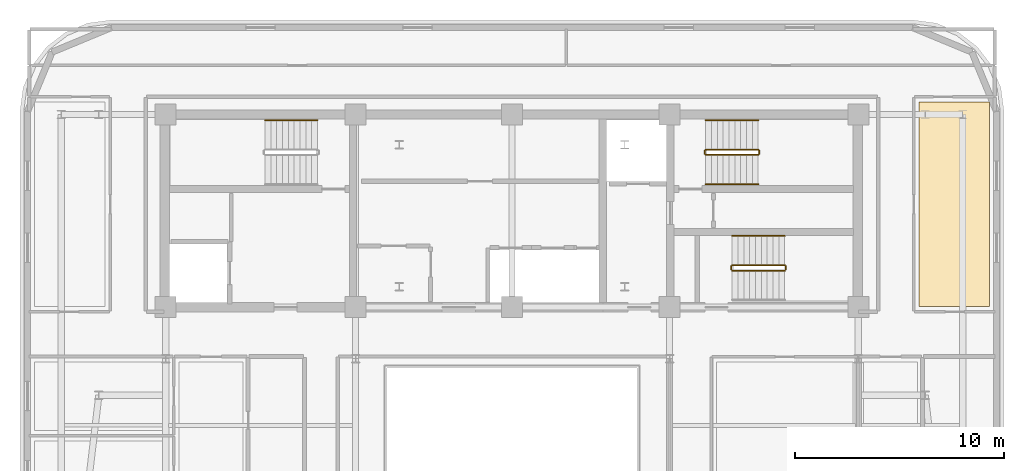
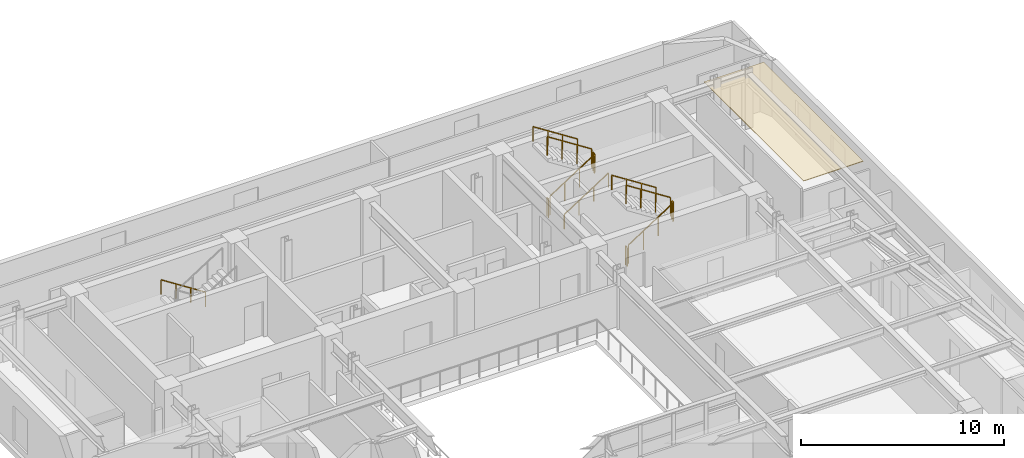
# One storey, part 14 of 14: 12 railings, 1 covering.
"""IFC4 building model written with IfcOpenShell, lengths in metres."""

import ifcopenshell
import ifcopenshell.guid

model = None  # the IFC model being written
_history = None  # IfcOwnerHistory: only IFC2X3 demands one
_inside = {}  # id of a spatial element -> (the spatial element, [elements in it])
_under = {}  # id of a project, library or spatial element -> (it, [spatial elements below it])
_declared = {}  # id of a project -> (the project, [libraries it declares])
_typed = {}  # id of a type object -> (the type object, [elements of that type])
_made_of = {}  # id of a material, layer set ... -> (it, [elements and type objects made of it])


def new_model(schema):
    """Start an empty IFC model of exactly this schema.

    Asked for "IFC4X3", IfcOpenShell would pick the latest addendum, in which some entities
    have other attributes; the version numbers below select the first issue.
    IFC2X3 requires an IfcOwnerHistory on every rooted entity: one is made here for all.
    """
    global model, _history
    if schema == "IFC4X3":
        model = ifcopenshell.file(schema_version=(4, 3, 0, 0))
    else:
        model = ifcopenshell.file(schema=schema)
    _inside.clear()
    _under.clear()
    _declared.clear()
    _typed.clear()
    _made_of.clear()
    _history = None
    if model.schema == "IFC2X3":
        org = make("IfcOrganization", Name="unknown")
        user = make(
            "IfcPersonAndOrganization",
            ThePerson=make("IfcPerson", FamilyName="unknown"),
            TheOrganization=org,
        )
        app = make(
            "IfcApplication",
            ApplicationDeveloper=org,
            Version="unknown",
            ApplicationFullName="unknown",
            ApplicationIdentifier="unknown",
        )
        _history = make(
            "IfcOwnerHistory",
            OwningUser=user,
            OwningApplication=app,
            ChangeAction="ADDED",
            CreationDate=0,
        )
    return model


def make(cls, **values):
    """One entity of the class cls with the attributes given. An attribute that is None is left unset."""
    return model.create_entity(
        cls, **{name: value for name, value in values.items() if value is not None}
    )


def rooted(cls, **values):
    """An entity with a GlobalId (a new one), such as an element, a storey or a relation."""
    return make(cls, GlobalId=ifcopenshell.guid.new(), OwnerHistory=_history, **values)


def si_unit(unit_type, name, prefix=None):
    """IfcSIUnit, for example si_unit("LENGTHUNIT", "METRE", prefix="MILLI")."""
    return make("IfcSIUnit", UnitType=unit_type, Prefix=prefix, Name=name)


def assignment(units):
    """IfcUnitAssignment: the units of a project."""
    return None if units is None else make("IfcUnitAssignment", Units=units)


def point(xyz):
    """IfcCartesianPoint."""
    return None if xyz is None else make("IfcCartesianPoint", Coordinates=xyz)


def direction(xyz):
    """IfcDirection."""
    return None if xyz is None else make("IfcDirection", DirectionRatios=xyz)


def frame(location, z_axis=None, x_axis=None):
    """IfcAxis2Placement3D, a coordinate frame: its origin and axes. An axis left out is left unset."""
    return make(
        "IfcAxis2Placement3D",
        Location=point(location),
        Axis=direction(z_axis),
        RefDirection=direction(x_axis),
    )


def frame_2d(location, x_axis=None):
    """IfcAxis2Placement2D, a coordinate frame in the plane: its origin and x axis."""
    return make(
        "IfcAxis2Placement2D", Location=point(location), RefDirection=direction(x_axis)
    )


def origin():
    """The frame at (0, 0, 0) with its axes left unset."""
    return frame((0.0, 0.0, 0.0))


def origin_2d():
    """The frame at (0, 0) in the plane with its x axis left unset."""
    return frame_2d((0.0, 0.0))


def place(relative_to, where):
    """IfcLocalPlacement: puts the frame where relative to a parent placement (None: the world)."""
    return make(
        "IfcLocalPlacement", PlacementRelTo=relative_to, RelativePlacement=where
    )


def context(
    kind, dimensions, precision=None, world=None, true_north=None, identifier=None
):
    """IfcGeometricRepresentationContext, for example the 3D "Model" context."""
    return make(
        "IfcGeometricRepresentationContext",
        ContextIdentifier=identifier,
        ContextType=kind,
        CoordinateSpaceDimension=dimensions,
        Precision=precision,
        WorldCoordinateSystem=world,
        TrueNorth=true_north,
    )


def subcontext(parent, identifier, kind, view, scale=None):
    """IfcGeometricRepresentationSubContext, for example "Body" below "Model"."""
    return make(
        "IfcGeometricRepresentationSubContext",
        ContextIdentifier=identifier,
        ContextType=kind,
        ParentContext=parent,
        TargetScale=scale,
        TargetView=view,
    )


def project(units=None, contexts=None):
    """IfcProject with its units and contexts."""
    return rooted(
        "IfcProject",
        Name="project",
        RepresentationContexts=contexts,
        UnitsInContext=assignment(units),
    )


def spatial(cls, under=None, at=None, **own):
    """A site, building, storey or space (cls), placed at a placement, below another one or the project."""
    s = rooted(cls, ObjectPlacement=at, **own)
    if under is not None:
        _under.setdefault(under.id(), (under, []))[1].append(s)
    return s


def polyline(points):
    """IfcPolyline through the points."""
    return make("IfcPolyline", Points=[point(p) for p in points])


def profile(cls, at=None, kind="AREA", **sizes):
    """A parametric profile (cls). Its sizes go by their IFC names, for example OverallWidth=200.0."""
    return make(cls, ProfileType=kind, Position=at, **sizes)


def rectangle(**sizes):
    """IfcRectangleProfileDef."""
    return profile("IfcRectangleProfileDef", **sizes)


def outline(outer, holes=None, kind="AREA"):
    """IfcArbitraryClosedProfileDef: a profile drawn as a closed curve; with holes, ...WithVoids."""
    if holes is None:
        return make("IfcArbitraryClosedProfileDef", ProfileType=kind, OuterCurve=outer)
    return make(
        "IfcArbitraryProfileDefWithVoids",
        ProfileType=kind,
        OuterCurve=outer,
        InnerCurves=holes,
    )


def extrude(swept, where, along, depth):
    """IfcExtrudedAreaSolid: the profile swept, set in the frame where, extruded along a direction by depth."""
    return make(
        "IfcExtrudedAreaSolid",
        SweptArea=swept,
        Position=where,
        ExtrudedDirection=direction(along),
        Depth=depth,
    )


def shape(context_of_items, identifier, shape_type, items):
    """IfcShapeRepresentation: the items that make up one representation, for example the "Body"."""
    return make(
        "IfcShapeRepresentation",
        ContextOfItems=context_of_items,
        RepresentationIdentifier=identifier,
        RepresentationType=shape_type,
        Items=items,
    )


def material(Name=None, Category=None):
    """IfcMaterial."""
    return make("IfcMaterial", Name=Name, Category=Category)


def layer(
    of_material, thickness, ventilated=None, Name=None, Category=None, Priority=None
):
    """IfcMaterialLayer: one layer of a wall or slab, of a material (None: an air gap)."""
    return make(
        "IfcMaterialLayer",
        Material=of_material,
        LayerThickness=thickness,
        IsVentilated=ventilated,
        Name=Name,
        Category=Category,
        Priority=Priority,
    )


def layer_set(layers, Name=None):
    """IfcMaterialLayerSet."""
    return make("IfcMaterialLayerSet", MaterialLayers=layers, LayerSetName=Name)


def made_of(thing, what):
    """Note that an element or type object is made of a material, layer set ...; save() writes the relation."""
    if what is not None:
        _made_of.setdefault(what.id(), (what, []))[1].append(thing)
    return thing


def type_object(cls, material=None, **own):
    """A type object (cls), such as IfcWallType, which elements share."""
    return made_of(rooted(cls, **own), material)


def element(
    cls,
    number,
    at=None,
    inside=None,
    cuts=None,
    type_object=None,
    material=None,
    context=None,
    identifier="Body",
    shape_type=None,
    held_by="IfcProductDefinitionShape",
    body=None,
    shapes=None,
    **own,
):
    """One element of the class cls, such as IfcWall. Its Tag is "e" and its number.

    at: its placement. inside: the storey or other place that contains it. cuts: it is an
    opening in that element (IfcRelVoidsElement). A single representation is given by context,
    identifier, shape_type and body (its items); several are given by shapes. held_by: the class
    of the entity that holds the representations. save() writes the other relations.
    """
    e = rooted(cls, Tag="e%d" % number, ObjectPlacement=at, **own)
    if body is not None:
        shapes = [shape(context, identifier, shape_type, body)]
    if shapes is not None:
        e.Representation = make(held_by, Representations=shapes)
    if inside is not None:
        _inside.setdefault(inside.id(), (inside, []))[1].append(e)
    if cuts is not None:
        rooted(
            "IfcRelVoidsElement", RelatingBuildingElement=cuts, RelatedOpeningElement=e
        )
    if type_object is not None:
        _typed.setdefault(type_object.id(), (type_object, []))[1].append(e)
    return made_of(e, material)


def aggregate(whole, parts):
    """IfcRelAggregates: a whole, such as a stair, and the parts it consists of."""
    return rooted("IfcRelAggregates", RelatingObject=whole, RelatedObjects=parts)


def save(model, path):
    """Write the relations noted so far, then the file.

    IfcRelAggregates (storeys below a building ...), IfcRelContainedInSpatialStructure (elements
    in a storey), IfcRelDefinesByType, IfcRelAssociatesMaterial and IfcRelDeclares: one each for
    every whole, place, type object, material and project.
    """
    for whole, parts in _under.values():
        aggregate(whole, parts)
    for where, things in _inside.values():
        rooted(
            "IfcRelContainedInSpatialStructure",
            RelatedElements=things,
            RelatingStructure=where,
        )
    for kind, things in _typed.values():
        rooted("IfcRelDefinesByType", RelatedObjects=things, RelatingType=kind)
    for what, things in _made_of.values():
        rooted("IfcRelAssociatesMaterial", RelatedObjects=things, RelatingMaterial=what)
    for by, libraries in _declared.values():
        rooted("IfcRelDeclares", RelatingContext=by, RelatedDefinitions=libraries)
    model.write(path)


model = new_model("IFC4")

# Units and contexts
model_context = context("Model", 3, precision=1e-05, world=origin(), true_north=direction((0.0, 1.0)))
body_context = subcontext(model_context, "Body", "Model", "MODEL_VIEW")
ifc_project = project(units=[si_unit("LENGTHUNIT", "METRE"), si_unit("AREAUNIT", "SQUARE_METRE"), si_unit("VOLUMEUNIT", "CUBIC_METRE"), si_unit("PLANEANGLEUNIT", "RADIAN"), si_unit("MASSUNIT", "GRAM", prefix="KILO")], contexts=[model_context])

# Site, building, storey
site_placement = place(None, origin())
site = spatial("IfcSite", under=ifc_project, at=site_placement, CompositionType="ELEMENT")
building_placement = place(site_placement, origin())
building = spatial("IfcBuilding", under=site, at=building_placement, Name="Zarnavel Station Tower", CompositionType="ELEMENT")
storey_placement = place(building_placement, frame((0.0, 0.0, 214.800048828125)))
storey = spatial("IfcBuildingStorey", under=building, at=storey_placement, Name="L58", CompositionType="ELEMENT", Elevation=214.800048828125)

# Covering
ifc_material_1 = material(Name="Perforated Gypsum and Mineral-Wool Acoustic Ceiling", Category="concrete")
ifc_layer = layer(ifc_material_1, 0.0400390625)
ifc_layer_set = layer_set([ifc_layer], Name="COV_CEIL_ACOUSTIC")
covering_type = type_object("IfcCoveringType", Name="COV_CEIL_ACOUSTIC", PredefinedType="CEILING", material=ifc_layer_set)
covering_placement = place(storey_placement, frame((0.0, 0.0, 3.02001953125)))
element("IfcCovering", 1, at=covering_placement, inside=storey, type_object=covering_type, Name="L58 FNE Acoustic Ceiling", PredefinedType="CEILING", context=body_context, shape_type="SweptSolid", body=[
    extrude(outline(polyline([(48.300048828125, 27.85009765625), (51.68994140625, 27.85009765625), (51.68994140625, 37.64990234375), (48.300048828125, 37.64990234375), (48.300048828125, 27.85009765625)])), origin(), (0.0, 0.0, 1.0), 0.0400390625),
])

# Railings
ifc_material_2 = material(Name="Painted Steel S355J2 Balustrade", Category="steel")
railing_type_1 = type_object("IfcRailingType", Name="GR_INT_1150", PredefinedType="GUARDRAIL", material=ifc_material_2)
railing_1_placement = place(storey_placement, frame((38.080078125, 35.110107421875, 0.179931640625)))
element("IfcRailing", 2, at=railing_1_placement, inside=storey, type_object=railing_type_1, Name="L58 ST2 stair guard 1", PredefinedType="GUARDRAIL", context=body_context, shape_type="SweptSolid", body=[
    extrude(rectangle(XDim=0.048095703125, YDim=0.048095703125, at=origin_2d()), frame((0.001708984375, 0.0, 1.126953125), z_axis=(0.841162588446, 0.0, 0.540782303519), x_axis=(0.0, 1.0, 0.0)), (0.0, 0.0, 1.0), 2.991943359375),
    extrude(rectangle(XDim=0.0419921875, YDim=0.0419921875, at=origin_2d()), origin(), (0.0, 0.0, 1.0), 1.101806640625),
    extrude(rectangle(XDim=0.0419921875, YDim=0.0419921875, at=origin_2d()), frame((0.840087890625, 0.0, 0.5400390625)), (0.0, 0.0, 1.0), 1.101806640625),
    extrude(rectangle(XDim=0.0419921875, YDim=0.0419921875, at=origin_2d()), frame((1.679931640625, 0.0, 1.080078125)), (0.0, 0.0, 1.0), 1.101806640625),
    extrude(rectangle(XDim=0.0419921875, YDim=0.0419921875, at=origin_2d()), frame((2.52001953125, 0.0, 1.6201171875)), (0.0, 0.0, 1.0), 1.101806640625),
])
railing_2_placement = place(storey_placement, frame((40.64990234375, 35.159912109375, 1.800048828125)))
element("IfcRailing", 3, at=railing_2_placement, inside=storey, type_object=railing_type_1, Name="L58 ST2 stair guard 2", PredefinedType="GUARDRAIL", context=body_context, shape_type="SweptSolid", body=[
    extrude(rectangle(XDim=0.048095703125, YDim=0.048095703125, at=origin_2d()), frame((0.0, 0.001953125, 1.1259765625), z_axis=(0.0, 1.0, 0.0), x_axis=(-1.0, 0.0, 0.0)), (0.0, 0.0, 1.0), 0.15625),
    extrude(rectangle(XDim=0.0419921875, YDim=0.0419921875, at=origin_2d()), origin(), (0.0, 0.0, 1.0), 1.101806640625),
    extrude(rectangle(XDim=0.0419921875, YDim=0.0419921875, at=origin_2d()), frame((0.0, 0.16015625, 0.0)), (0.0, 0.0, 1.0), 1.101806640625),
])
railing_3_placement = place(storey_placement, frame((40.60009765625, 35.3701171875, 1.97998046875)))
element("IfcRailing", 4, at=railing_3_placement, inside=storey, type_object=railing_type_1, Name="L58 ST2 stair guard 3", PredefinedType="GUARDRAIL", context=body_context, shape_type="SweptSolid", body=[
    extrude(rectangle(XDim=0.048095703125, YDim=0.048095703125, at=origin_2d()), frame((-0.001708984375, 0.0, 1.126953125), z_axis=(-0.841199657755, 0.0, 0.540724639528), x_axis=(0.0, -1.0, 0.0)), (0.0, 0.0, 1.0), 2.99169921875),
    extrude(rectangle(XDim=0.0419921875, YDim=0.0419921875, at=origin_2d()), origin(), (0.0, 0.0, 1.0), 1.101806640625),
    extrude(rectangle(XDim=0.0419921875, YDim=0.0419921875, at=origin_2d()), frame((-0.840087890625, 0.0, 0.5400390625)), (0.0, 0.0, 1.0), 1.101806640625),
    extrude(rectangle(XDim=0.0419921875, YDim=0.0419921875, at=origin_2d()), frame((-1.679931640625, 0.0, 1.079833984375)), (0.0, 0.0, 1.0), 1.101806640625),
    extrude(rectangle(XDim=0.0419921875, YDim=0.0419921875, at=origin_2d()), frame((-2.52001953125, 0.0, 1.619873046875)), (0.0, 0.0, 1.0), 1.101806640625),
])
railing_4_placement = place(storey_placement, frame((38.030029296875, 35.159912109375, 0.0)))
element("IfcRailing", 5, at=railing_4_placement, inside=storey, type_object=railing_type_1, Name="L58 ST2 stair guard 4", PredefinedType="GUARDRAIL", context=body_context, shape_type="SweptSolid", body=[
    extrude(rectangle(XDim=0.048095703125, YDim=0.048095703125, at=origin_2d()), frame((0.0, 0.001953125, 1.1259765625), z_axis=(0.0, 1.0, 0.0), x_axis=(-1.0, 0.0, 0.0)), (0.0, 0.0, 1.0), 0.15625),
    extrude(rectangle(XDim=0.0419921875, YDim=0.0419921875, at=origin_2d()), origin(), (0.0, 0.0, 1.0), 1.101806640625),
    extrude(rectangle(XDim=0.0419921875, YDim=0.0419921875, at=origin_2d()), frame((0.0, 0.16015625, 0.0)), (0.0, 0.0, 1.0), 1.101806640625),
])
railing_5_placement = place(storey_placement, frame((39.35009765625, 29.570068359375, 0.179931640625)))
element("IfcRailing", 6, at=railing_5_placement, inside=storey, type_object=railing_type_1, Name="L58 ST3 stair guard 1", PredefinedType="GUARDRAIL", context=body_context, shape_type="SweptSolid", body=[
    extrude(rectangle(XDim=0.048095703125, YDim=0.048095703125, at=origin_2d()), frame((0.001708984375, 0.0, 1.126953125), z_axis=(0.841162588446, 0.0, 0.540782303519), x_axis=(0.0, 1.0, 0.0)), (0.0, 0.0, 1.0), 2.991943359375),
    extrude(rectangle(XDim=0.0419921875, YDim=0.0419921875, at=origin_2d()), origin(), (0.0, 0.0, 1.0), 1.101806640625),
    extrude(rectangle(XDim=0.0419921875, YDim=0.0419921875, at=origin_2d()), frame((0.840087890625, 0.0, 0.5400390625)), (0.0, 0.0, 1.0), 1.101806640625),
    extrude(rectangle(XDim=0.0419921875, YDim=0.0419921875, at=origin_2d()), frame((1.679931640625, 0.0, 1.080078125)), (0.0, 0.0, 1.0), 1.101806640625),
    extrude(rectangle(XDim=0.0419921875, YDim=0.0419921875, at=origin_2d()), frame((2.52001953125, 0.0, 1.6201171875)), (0.0, 0.0, 1.0), 1.101806640625),
])
railing_6_placement = place(storey_placement, frame((41.919921875, 29.6201171875, 1.800048828125)))
element("IfcRailing", 7, at=railing_6_placement, inside=storey, type_object=railing_type_1, Name="L58 ST3 stair guard 2", PredefinedType="GUARDRAIL", context=body_context, shape_type="SweptSolid", body=[
    extrude(rectangle(XDim=0.048095703125, YDim=0.048095703125, at=origin_2d()), frame((0.0, 0.001953125, 1.1259765625), z_axis=(0.0, 1.0, 0.0), x_axis=(-1.0, 0.0, 0.0)), (0.0, 0.0, 1.0), 0.156005859375),
    extrude(rectangle(XDim=0.0419921875, YDim=0.0419921875, at=origin_2d()), origin(), (0.0, 0.0, 1.0), 1.101806640625),
    extrude(rectangle(XDim=0.0419921875, YDim=0.0419921875, at=origin_2d()), frame((0.0, 0.159912109375, 0.0)), (0.0, 0.0, 1.0), 1.101806640625),
])
railing_7_placement = place(storey_placement, frame((41.8701171875, 29.830078125, 1.97998046875)))
element("IfcRailing", 8, at=railing_7_placement, inside=storey, type_object=railing_type_1, Name="L58 ST3 stair guard 3", PredefinedType="GUARDRAIL", context=body_context, shape_type="SweptSolid", body=[
    extrude(rectangle(XDim=0.048095703125, YDim=0.048095703125, at=origin_2d()), frame((-0.001708984375, 0.0, 1.126953125), z_axis=(-0.841199657755, 0.0, 0.540724639528), x_axis=(0.0, -1.0, 0.0)), (0.0, 0.0, 1.0), 2.99169921875),
    extrude(rectangle(XDim=0.0419921875, YDim=0.0419921875, at=origin_2d()), origin(), (0.0, 0.0, 1.0), 1.101806640625),
    extrude(rectangle(XDim=0.0419921875, YDim=0.0419921875, at=origin_2d()), frame((-0.840087890625, 0.0, 0.5400390625)), (0.0, 0.0, 1.0), 1.101806640625),
    extrude(rectangle(XDim=0.0419921875, YDim=0.0419921875, at=origin_2d()), frame((-1.679931640625, 0.0, 1.079833984375)), (0.0, 0.0, 1.0), 1.101806640625),
    extrude(rectangle(XDim=0.0419921875, YDim=0.0419921875, at=origin_2d()), frame((-2.52001953125, 0.0, 1.619873046875)), (0.0, 0.0, 1.0), 1.101806640625),
])
railing_8_placement = place(storey_placement, frame((39.300048828125, 29.6201171875, 0.0)))
element("IfcRailing", 9, at=railing_8_placement, inside=storey, type_object=railing_type_1, Name="L58 ST3 stair guard 4", PredefinedType="GUARDRAIL", context=body_context, shape_type="SweptSolid", body=[
    extrude(rectangle(XDim=0.048095703125, YDim=0.048095703125, at=origin_2d()), frame((0.0, 0.001953125, 1.1259765625), z_axis=(0.0, 1.0, 0.0), x_axis=(-1.0, 0.0, 0.0)), (0.0, 0.0, 1.0), 0.156005859375),
    extrude(rectangle(XDim=0.0419921875, YDim=0.0419921875, at=origin_2d()), origin(), (0.0, 0.0, 1.0), 1.101806640625),
    extrude(rectangle(XDim=0.0419921875, YDim=0.0419921875, at=origin_2d()), frame((0.0, 0.159912109375, 0.0)), (0.0, 0.0, 1.0), 1.101806640625),
])
ifc_material_3 = material(Name="Brushed Stainless Steel S355J2 Handrail", Category="steel")
railing_type_2 = type_object("IfcRailingType", Name="HR_STAIR_900", PredefinedType="HANDRAIL", material=ifc_material_3)
railing_9_placement = place(storey_placement, frame((19.47998046875, 36.77001953125, 0.179931640625)))
element("IfcRailing", 10, at=railing_9_placement, inside=storey, type_object=railing_type_2, Name="L58 ST1 stair handrail 1", PredefinedType="HANDRAIL", context=body_context, shape_type="SweptSolid", body=[
    extrude(rectangle(XDim=0.048095703125, YDim=0.048095703125, at=origin_2d()), frame((-0.001708984375, 0.0, 0.876953125), z_axis=(-0.841162588446, 0.0, 0.540782303519), x_axis=(0.0, -1.0, 0.0)), (0.0, 0.0, 1.0), 2.991943359375),
    extrude(rectangle(XDim=0.0419921875, YDim=0.0419921875, at=origin_2d()), origin(), (0.0, 0.0, 1.0), 0.851806640625),
    extrude(rectangle(XDim=0.0419921875, YDim=0.0419921875, at=origin_2d()), frame((-0.840087890625, 0.0, 0.5400390625)), (0.0, 0.0, 1.0), 0.851806640625),
    extrude(rectangle(XDim=0.0419921875, YDim=0.0419921875, at=origin_2d()), frame((-1.679931640625, 0.0, 1.080078125)), (0.0, 0.0, 1.0), 0.851806640625),
    extrude(rectangle(XDim=0.0419921875, YDim=0.0419921875, at=origin_2d()), frame((-2.52001953125, 0.0, 1.6201171875)), (0.0, 0.0, 1.0), 0.851806640625),
])
railing_10_placement = place(storey_placement, frame((38.080078125, 33.7099609375, 0.179931640625)))
element("IfcRailing", 11, at=railing_10_placement, inside=storey, type_object=railing_type_2, Name="L58 ST2 stair handrail 1", PredefinedType="HANDRAIL", context=body_context, shape_type="SweptSolid", body=[
    extrude(rectangle(XDim=0.048095703125, YDim=0.048095703125, at=origin_2d()), frame((0.001708984375, 0.0, 0.876953125), z_axis=(0.841162588446, 0.0, 0.540782303519), x_axis=(0.0, 1.0, 0.0)), (0.0, 0.0, 1.0), 2.991943359375),
    extrude(rectangle(XDim=0.0419921875, YDim=0.0419921875, at=origin_2d()), origin(), (0.0, 0.0, 1.0), 0.851806640625),
    extrude(rectangle(XDim=0.0419921875, YDim=0.0419921875, at=origin_2d()), frame((0.840087890625, 0.0, 0.5400390625)), (0.0, 0.0, 1.0), 0.851806640625),
    extrude(rectangle(XDim=0.0419921875, YDim=0.0419921875, at=origin_2d()), frame((1.679931640625, 0.0, 1.080078125)), (0.0, 0.0, 1.0), 0.851806640625),
    extrude(rectangle(XDim=0.0419921875, YDim=0.0419921875, at=origin_2d()), frame((2.52001953125, 0.0, 1.6201171875)), (0.0, 0.0, 1.0), 0.851806640625),
])
for number, where, name in (
    (12, (40.60009765625, 36.77001953125, 1.97998046875), "L58 ST2 stair handrail 2"),
    (13, (41.8701171875, 31.22998046875, 1.97998046875), "L58 ST3 stair handrail 2"),
):
    element("IfcRailing", number, at=place(storey_placement, frame(where)), inside=storey, type_object=railing_type_2, Name=name, PredefinedType="HANDRAIL", context=body_context, shape_type="SweptSolid", body=[
        extrude(rectangle(XDim=0.048095703125, YDim=0.048095703125, at=origin_2d()), frame((-0.001708984375, 0.0, 0.876953125), z_axis=(-0.841199657755, 0.0, 0.540724639528), x_axis=(0.0, -1.0, 0.0)), (0.0, 0.0, 1.0), 2.99169921875),
        extrude(rectangle(XDim=0.0419921875, YDim=0.0419921875, at=origin_2d()), origin(), (0.0, 0.0, 1.0), 0.851806640625),
        extrude(rectangle(XDim=0.0419921875, YDim=0.0419921875, at=origin_2d()), frame((-0.840087890625, 0.0, 0.5400390625)), (0.0, 0.0, 1.0), 0.851806640625),
        extrude(rectangle(XDim=0.0419921875, YDim=0.0419921875, at=origin_2d()), frame((-1.679931640625, 0.0, 1.079833984375)), (0.0, 0.0, 1.0), 0.851806640625),
        extrude(rectangle(XDim=0.0419921875, YDim=0.0419921875, at=origin_2d()), frame((-2.52001953125, 0.0, 1.619873046875)), (0.0, 0.0, 1.0), 0.851806640625),
    ])

save(model, "model.ifc")
